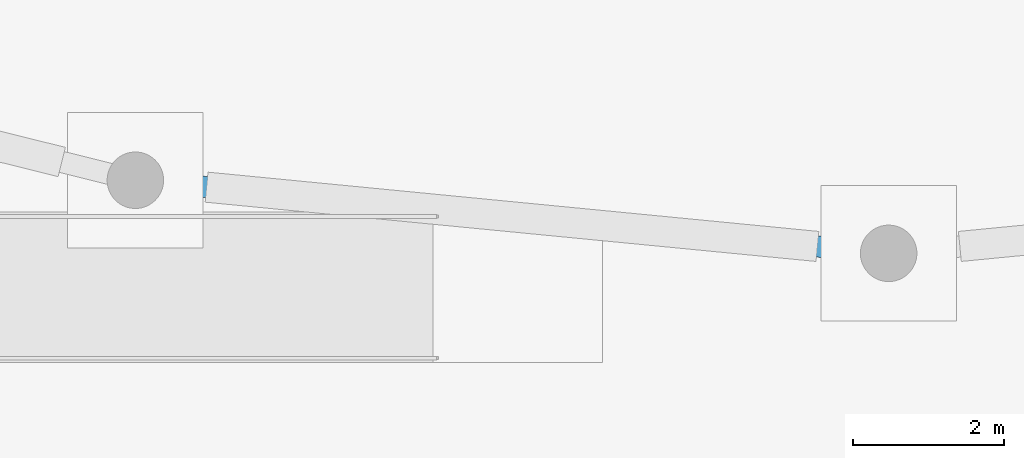
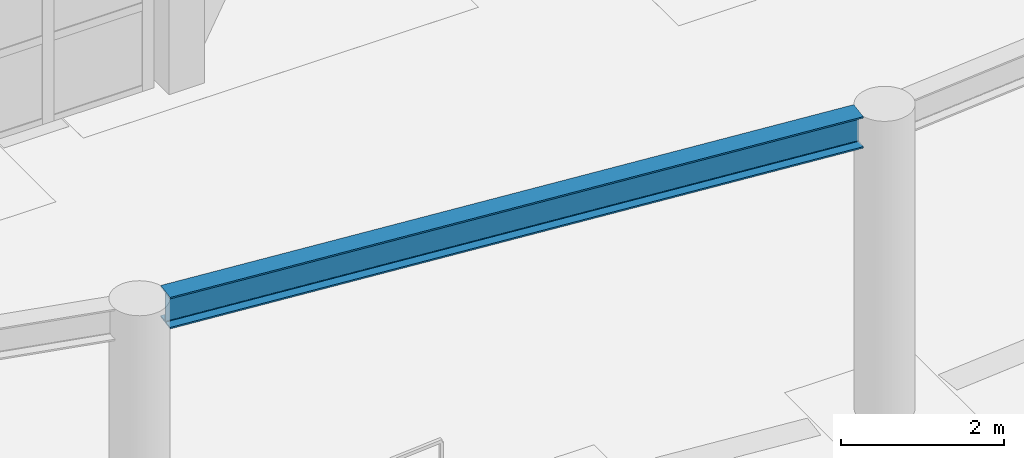
# One storey, part 13 of 68: 1 beam.
"""IFC4 building model written with IfcOpenShell, lengths in metres."""

from ifc_helpers import new_model, si_unit, direction, frame, origin, origin_2d, place, context, subcontext, project, spatial, i_section, extrude, material, material_profile, profile_set, type_object, element, save


model = new_model("IFC4")

# Units and contexts
model_context = context("Model", 3, precision=1e-05, world=origin(), true_north=direction((0.0, 1.0)))
body_context = subcontext(model_context, "Body", "Model", "MODEL_VIEW")
ifc_project = project(units=[si_unit("LENGTHUNIT", "METRE"), si_unit("AREAUNIT", "SQUARE_METRE"), si_unit("VOLUMEUNIT", "CUBIC_METRE"), si_unit("PLANEANGLEUNIT", "RADIAN"), si_unit("MASSUNIT", "GRAM", prefix="KILO")], contexts=[model_context])

# Site, building, storey
site_placement = place(None, origin())
site = spatial("IfcSite", under=ifc_project, at=site_placement, CompositionType="ELEMENT")
building_placement = place(site_placement, origin())
building = spatial("IfcBuilding", under=site, at=building_placement, Name="Serraluz Foothill Cableway Terminal", CompositionType="ELEMENT")
storey_placement = place(building_placement, origin())
storey = spatial("IfcBuildingStorey", under=building, at=storey_placement, Name="L00", CompositionType="ELEMENT", Elevation=0.0)

# Beam
ifc_material = material(Name="Steel ASTM A992 Grade 50", Category="steel")
ifc_material_profile = material_profile(ifc_material, i_section(OverallWidth=0.282958984375, OverallDepth=0.471923828125, WebThickness=0.013671875, FlangeThickness=0.022216796875, FilletRadius=0.014892578125, at=origin_2d()), Name="W18X97")
ifc_profile_set = profile_set([ifc_material_profile], Name="Steel ASTM A992 Grade 50")
beam_type = type_object("IfcBeamType", Name="TYP-SP-W18X97", PredefinedType="SPANDREL", material=ifc_profile_set)
beam_placement = place(storey_placement, frame((26.348388671875, 46.48681640625, 4.323974609375), z_axis=(0.995321615622, -0.096617190369, 0.0), x_axis=(0.096617190369, 0.995321615622, 0.0)))
element("IfcBeam", 1, at=beam_placement, inside=storey, type_object=beam_type, Name="Plaza Canopy Arc Edge Beam 2", PredefinedType="SPANDREL", context=body_context, shape_type="SweptSolid", body=[
    extrude(i_section(OverallWidth=0.282958984375, OverallDepth=0.471923828125, WebThickness=0.013671875, FlangeThickness=0.022216796875, FilletRadius=0.014892578125, at=origin_2d()), origin(), (0.0, 0.0, 1.0), 9.346923828125),
])

save(model, "model.ifc")
